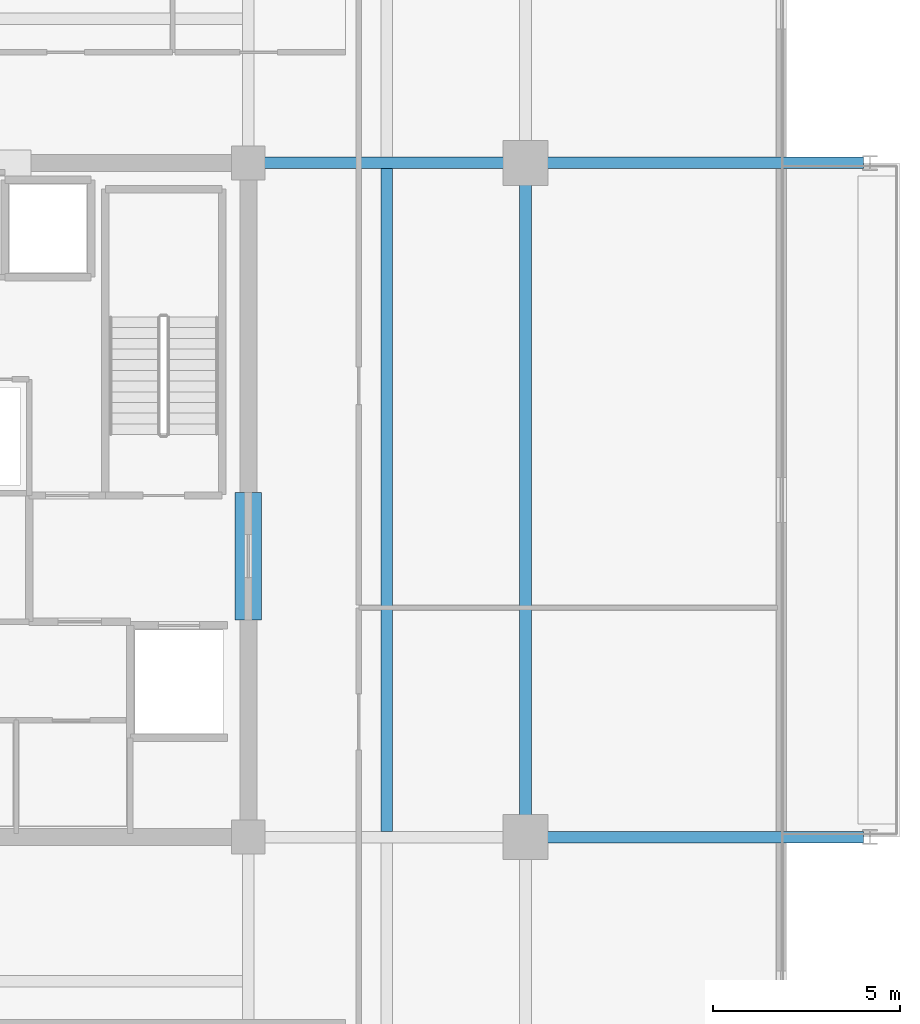
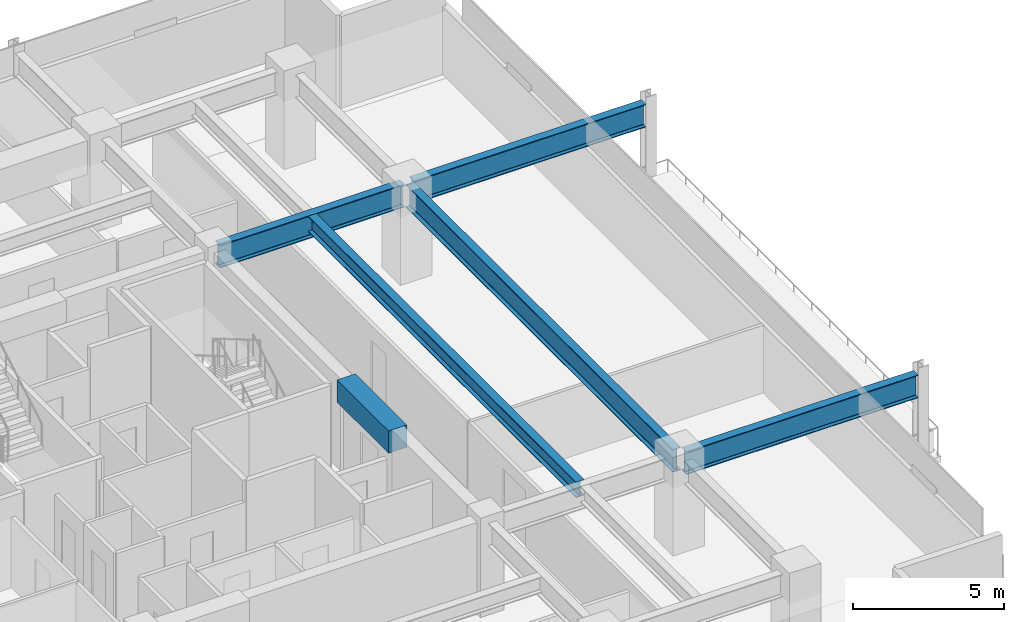
# One storey, part 10 of 20: 6 beams.
"""IFC4 building model written with IfcOpenShell, lengths in metres."""

from ifc_helpers import new_model, si_unit, direction, frame, origin, origin_2d, place, context, subcontext, project, spatial, rectangle, i_section, extrude, material, material_profile, profile_set, type_object, element, save


model = new_model("IFC4")

# Units and contexts
model_context = context("Model", 3, precision=1e-05, world=origin(), true_north=direction((0.0, 1.0)))
body_context = subcontext(model_context, "Body", "Model", "MODEL_VIEW")
ifc_project = project(units=[si_unit("LENGTHUNIT", "METRE"), si_unit("AREAUNIT", "SQUARE_METRE"), si_unit("VOLUMEUNIT", "CUBIC_METRE"), si_unit("PLANEANGLEUNIT", "RADIAN"), si_unit("MASSUNIT", "GRAM", prefix="KILO")], contexts=[model_context])

# Site, building, storey
site_placement = place(None, origin())
site = spatial("IfcSite", under=ifc_project, at=site_placement, CompositionType="ELEMENT")
building_placement = place(site_placement, origin())
building = spatial("IfcBuilding", under=site, at=building_placement, Name="Kovane Verandah Tower", CompositionType="ELEMENT")
storey_placement = place(building_placement, frame((0.0, 0.0, 291.199951171875)))
storey = spatial("IfcBuildingStorey", under=building, at=storey_placement, Name="L68", CompositionType="ELEMENT", Elevation=291.199951171875)

# Beams
ifc_material_1 = material(Name="Concrete C60/75", Category="concrete")
ifc_material_profile_1 = material_profile(ifc_material_1, rectangle(XDim=0.699951171875, YDim=0.89990234375, at=origin_2d()), Name="RCB700x900")
ifc_profile_set_1 = profile_set([ifc_material_profile_1], Name="Concrete C60/75")
beam_type_1 = type_object("IfcBeamType", Name="BM-LINTEL-700x900", PredefinedType="LINTEL", material=ifc_profile_set_1)
beam_1_placement = place(storey_placement, frame((51.0, 24.300048828125, 3.25), z_axis=(0.0, 1.0, 0.0), x_axis=(-1.0, 0.0, 0.0)))
element("IfcBeam", 1, at=beam_1_placement, inside=storey, type_object=beam_type_1, Name="L68 Core Coupling Lintel CL-E", PredefinedType="LINTEL", context=body_context, shape_type="SweptSolid", body=[
    extrude(rectangle(XDim=0.699951171875, YDim=0.89990234375, at=origin_2d()), origin(), (0.0, 0.0, 1.0), 3.39990234375),
])
ifc_material_2 = material(Name="Steel S460", Category="steel")
ifc_material_profile_2 = material_profile(ifc_material_2, i_section(OverallWidth=0.311279296875, OverallDepth=0.6357421875, WebThickness=0.018310546875, FlangeThickness=0.031494140625, FilletRadius=0.0166015625, at=origin_2d()), Name="UB610x305x238")
ifc_profile_set_2 = profile_set([ifc_material_profile_2], Name="Steel S460")
beam_type_2 = type_object("IfcBeamType", Name="BM-UB610x238", PredefinedType="BEAM", material=ifc_profile_set_2)
beam_2_placement = place(storey_placement, frame((54.699951171875, 18.65185546875, 3.382080078125), z_axis=(0.0, 1.0, 0.0), x_axis=(-1.0, 0.0, 0.0)))
element("IfcBeam", 2, at=beam_2_placement, inside=storey, type_object=beam_type_2, Name="L68 Secondary Composite Joist J-E1", PredefinedType="BEAM", context=body_context, shape_type="SweptSolid", body=[
    extrude(i_section(OverallWidth=0.311279296875, OverallDepth=0.6357421875, WebThickness=0.018310546875, FlangeThickness=0.031494140625, FilletRadius=0.0166015625, at=origin_2d()), origin(), (0.0, 0.0, 1.0), 17.6962890625),
])
ifc_material_profile_3 = material_profile(ifc_material_2, i_section(OverallWidth=0.3076171875, OverallDepth=0.926513671875, WebThickness=0.01953125, FlangeThickness=0.031982421875, FilletRadius=0.01904296875, at=origin_2d()), Name="UB914x305x289")
ifc_profile_set_3 = profile_set([ifc_material_profile_3], Name="Steel S460")
beam_type_3 = type_object("IfcBeamType", Name="BM-UB914x289", PredefinedType="BEAM", material=ifc_profile_set_3)
beam_3_placement = place(storey_placement, frame((58.39990234375, 18.679931640625, 3.23681640625), z_axis=(0.0, 1.0, 0.0), x_axis=(-1.0, 0.0, 0.0)))
element("IfcBeam", 3, at=beam_3_placement, inside=storey, type_object=beam_type_3, Name="L68 Primary Tower Girder G-RE2", PredefinedType="BEAM", context=body_context, shape_type="SweptSolid", body=[
    extrude(i_section(OverallWidth=0.3076171875, OverallDepth=0.926513671875, WebThickness=0.01953125, FlangeThickness=0.031982421875, FilletRadius=0.01904296875, at=origin_2d()), origin(), (0.0, 0.0, 1.0), 17.64013671875),
])
beam_4_placement = place(storey_placement, frame((51.179931640625, 36.5, 3.23681640625), z_axis=(1.0, 0.0, 0.0), x_axis=(0.0, 1.0, 0.0)))
element("IfcBeam", 4, at=beam_4_placement, inside=storey, type_object=beam_type_3, Name="L68 Primary Tower Girder G-E2", PredefinedType="BEAM", context=body_context, shape_type="SweptSolid", body=[
    extrude(i_section(OverallWidth=0.3076171875, OverallDepth=0.926513671875, WebThickness=0.01953125, FlangeThickness=0.031982421875, FilletRadius=0.01904296875, at=origin_2d()), origin(), (0.0, 0.0, 1.0), 7.0400390625),
])
for number, where, z_axis, x_axis, name in (
    (5, (58.580078125, 18.5, 3.23681640625), (1.0, 0.0, 0.0), (0.0, 1.0, 0.0), "L68 Primary Tower Girder G-VE1"),
    (6, (58.580078125, 36.5, 3.23681640625), (1.0, 0.0, 0.0), (0.0, 1.0, 0.0), "L68 Primary Tower Girder G-VE2"),
):
    element("IfcBeam", number, at=place(storey_placement, frame(where, z_axis=z_axis, x_axis=x_axis)), inside=storey, type_object=beam_type_3, Name=name, PredefinedType="BEAM", context=body_context, shape_type="SweptSolid", body=[
        extrude(i_section(OverallWidth=0.3076171875, OverallDepth=0.926513671875, WebThickness=0.01953125, FlangeThickness=0.031982421875, FilletRadius=0.01904296875, at=origin_2d()), origin(), (0.0, 0.0, 1.0), 8.83984375),
    ])

save(model, "model.ifc")
